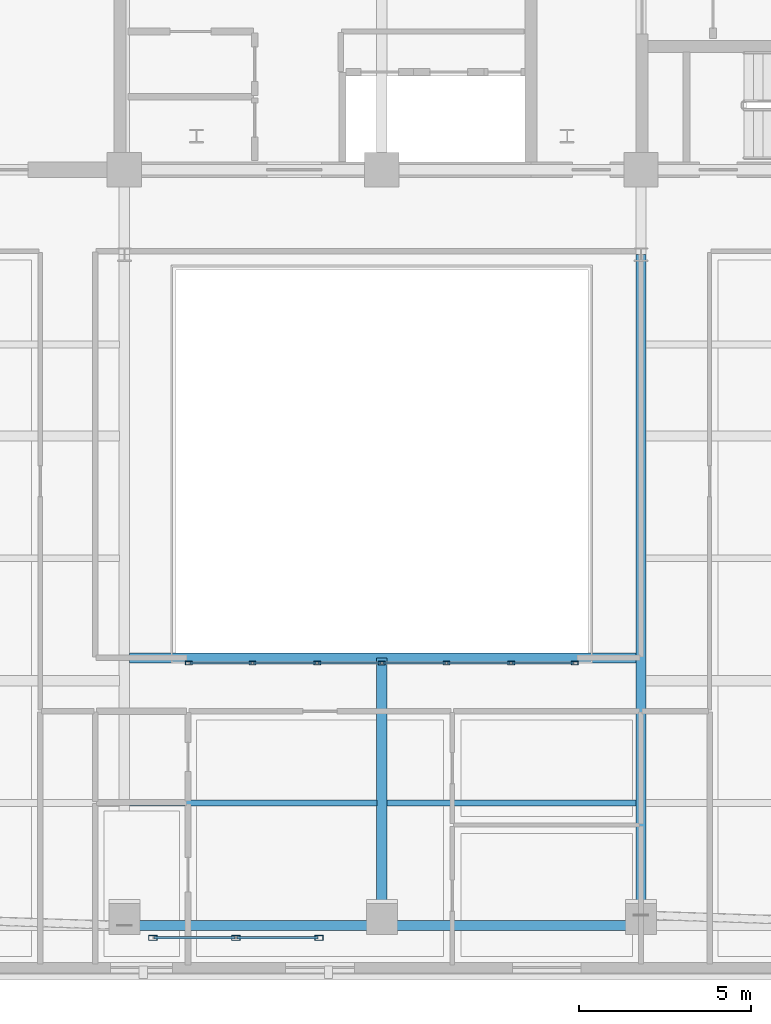
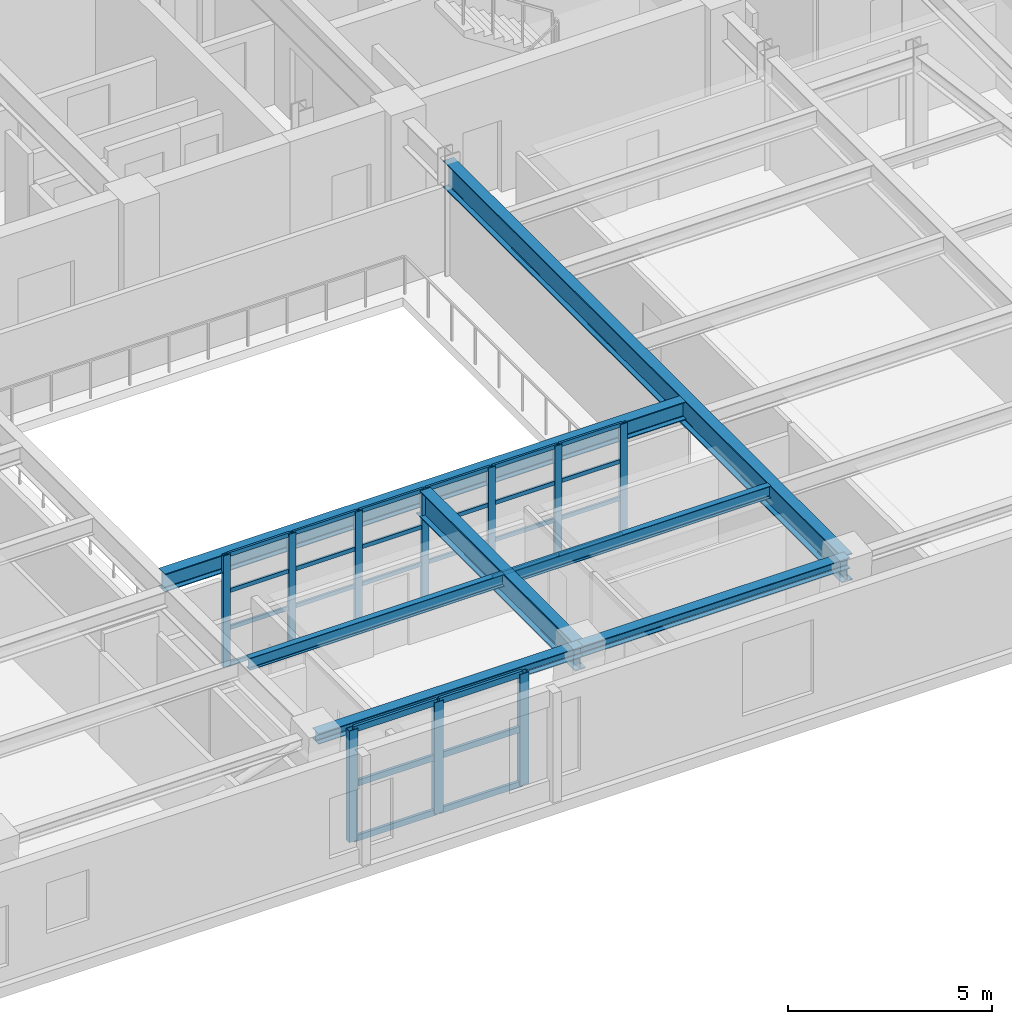
# One storey, part 2 of 14: 40 members, 7 beams, 2 elements without a shape of their own.
"""IFC4 building model written with IfcOpenShell, lengths in metres."""

import ifcopenshell
import ifcopenshell.guid

model = None  # the IFC model being written
_history = None  # IfcOwnerHistory: only IFC2X3 demands one
_inside = {}  # id of a spatial element -> (the spatial element, [elements in it])
_under = {}  # id of a project, library or spatial element -> (it, [spatial elements below it])
_declared = {}  # id of a project -> (the project, [libraries it declares])
_typed = {}  # id of a type object -> (the type object, [elements of that type])
_made_of = {}  # id of a material, layer set ... -> (it, [elements and type objects made of it])


def new_model(schema):
    """Start an empty IFC model of exactly this schema.

    Asked for "IFC4X3", IfcOpenShell would pick the latest addendum, in which some entities
    have other attributes; the version numbers below select the first issue.
    IFC2X3 requires an IfcOwnerHistory on every rooted entity: one is made here for all.
    """
    global model, _history
    if schema == "IFC4X3":
        model = ifcopenshell.file(schema_version=(4, 3, 0, 0))
    else:
        model = ifcopenshell.file(schema=schema)
    _inside.clear()
    _under.clear()
    _declared.clear()
    _typed.clear()
    _made_of.clear()
    _history = None
    if model.schema == "IFC2X3":
        org = make("IfcOrganization", Name="unknown")
        user = make(
            "IfcPersonAndOrganization",
            ThePerson=make("IfcPerson", FamilyName="unknown"),
            TheOrganization=org,
        )
        app = make(
            "IfcApplication",
            ApplicationDeveloper=org,
            Version="unknown",
            ApplicationFullName="unknown",
            ApplicationIdentifier="unknown",
        )
        _history = make(
            "IfcOwnerHistory",
            OwningUser=user,
            OwningApplication=app,
            ChangeAction="ADDED",
            CreationDate=0,
        )
    return model


def make(cls, **values):
    """One entity of the class cls with the attributes given. An attribute that is None is left unset."""
    return model.create_entity(
        cls, **{name: value for name, value in values.items() if value is not None}
    )


def rooted(cls, **values):
    """An entity with a GlobalId (a new one), such as an element, a storey or a relation."""
    return make(cls, GlobalId=ifcopenshell.guid.new(), OwnerHistory=_history, **values)


def si_unit(unit_type, name, prefix=None):
    """IfcSIUnit, for example si_unit("LENGTHUNIT", "METRE", prefix="MILLI")."""
    return make("IfcSIUnit", UnitType=unit_type, Prefix=prefix, Name=name)


def assignment(units):
    """IfcUnitAssignment: the units of a project."""
    return None if units is None else make("IfcUnitAssignment", Units=units)


def point(xyz):
    """IfcCartesianPoint."""
    return None if xyz is None else make("IfcCartesianPoint", Coordinates=xyz)


def direction(xyz):
    """IfcDirection."""
    return None if xyz is None else make("IfcDirection", DirectionRatios=xyz)


def frame(location, z_axis=None, x_axis=None):
    """IfcAxis2Placement3D, a coordinate frame: its origin and axes. An axis left out is left unset."""
    return make(
        "IfcAxis2Placement3D",
        Location=point(location),
        Axis=direction(z_axis),
        RefDirection=direction(x_axis),
    )


def frame_2d(location, x_axis=None):
    """IfcAxis2Placement2D, a coordinate frame in the plane: its origin and x axis."""
    return make(
        "IfcAxis2Placement2D", Location=point(location), RefDirection=direction(x_axis)
    )


def origin():
    """The frame at (0, 0, 0) with its axes left unset."""
    return frame((0.0, 0.0, 0.0))


def origin_2d():
    """The frame at (0, 0) in the plane with its x axis left unset."""
    return frame_2d((0.0, 0.0))


def place(relative_to, where):
    """IfcLocalPlacement: puts the frame where relative to a parent placement (None: the world)."""
    return make(
        "IfcLocalPlacement", PlacementRelTo=relative_to, RelativePlacement=where
    )


def context(
    kind, dimensions, precision=None, world=None, true_north=None, identifier=None
):
    """IfcGeometricRepresentationContext, for example the 3D "Model" context."""
    return make(
        "IfcGeometricRepresentationContext",
        ContextIdentifier=identifier,
        ContextType=kind,
        CoordinateSpaceDimension=dimensions,
        Precision=precision,
        WorldCoordinateSystem=world,
        TrueNorth=true_north,
    )


def subcontext(parent, identifier, kind, view, scale=None):
    """IfcGeometricRepresentationSubContext, for example "Body" below "Model"."""
    return make(
        "IfcGeometricRepresentationSubContext",
        ContextIdentifier=identifier,
        ContextType=kind,
        ParentContext=parent,
        TargetScale=scale,
        TargetView=view,
    )


def project(units=None, contexts=None):
    """IfcProject with its units and contexts."""
    return rooted(
        "IfcProject",
        Name="project",
        RepresentationContexts=contexts,
        UnitsInContext=assignment(units),
    )


def spatial(cls, under=None, at=None, **own):
    """A site, building, storey or space (cls), placed at a placement, below another one or the project."""
    s = rooted(cls, ObjectPlacement=at, **own)
    if under is not None:
        _under.setdefault(under.id(), (under, []))[1].append(s)
    return s


def profile(cls, at=None, kind="AREA", **sizes):
    """A parametric profile (cls). Its sizes go by their IFC names, for example OverallWidth=200.0."""
    return make(cls, ProfileType=kind, Position=at, **sizes)


def hollow_rectangle(**sizes):
    """IfcRectangleHollowProfileDef."""
    return profile("IfcRectangleHollowProfileDef", **sizes)


def i_section(**sizes):
    """IfcIShapeProfileDef."""
    return profile("IfcIShapeProfileDef", **sizes)


def extrude(swept, where, along, depth):
    """IfcExtrudedAreaSolid: the profile swept, set in the frame where, extruded along a direction by depth."""
    return make(
        "IfcExtrudedAreaSolid",
        SweptArea=swept,
        Position=where,
        ExtrudedDirection=direction(along),
        Depth=depth,
    )


def shape(context_of_items, identifier, shape_type, items):
    """IfcShapeRepresentation: the items that make up one representation, for example the "Body"."""
    return make(
        "IfcShapeRepresentation",
        ContextOfItems=context_of_items,
        RepresentationIdentifier=identifier,
        RepresentationType=shape_type,
        Items=items,
    )


def material(Name=None, Category=None):
    """IfcMaterial."""
    return make("IfcMaterial", Name=Name, Category=Category)


def layer(
    of_material, thickness, ventilated=None, Name=None, Category=None, Priority=None
):
    """IfcMaterialLayer: one layer of a wall or slab, of a material (None: an air gap)."""
    return make(
        "IfcMaterialLayer",
        Material=of_material,
        LayerThickness=thickness,
        IsVentilated=ventilated,
        Name=Name,
        Category=Category,
        Priority=Priority,
    )


def layer_set(layers, Name=None):
    """IfcMaterialLayerSet."""
    return make("IfcMaterialLayerSet", MaterialLayers=layers, LayerSetName=Name)


def material_profile(
    of_material, cross_section, Name=None, Category=None, Priority=None
):
    """IfcMaterialProfile: a cross section and its material."""
    return make(
        "IfcMaterialProfile",
        Name=Name,
        Material=of_material,
        Profile=cross_section,
        Priority=Priority,
        Category=Category,
    )


def profile_set(profiles, Name=None, composite=None):
    """IfcMaterialProfileSet."""
    return make(
        "IfcMaterialProfileSet",
        Name=Name,
        MaterialProfiles=profiles,
        CompositeProfile=composite,
    )


def made_of(thing, what):
    """Note that an element or type object is made of a material, layer set ...; save() writes the relation."""
    if what is not None:
        _made_of.setdefault(what.id(), (what, []))[1].append(thing)
    return thing


def type_object(cls, material=None, **own):
    """A type object (cls), such as IfcWallType, which elements share."""
    return made_of(rooted(cls, **own), material)


def element(
    cls,
    number,
    at=None,
    inside=None,
    cuts=None,
    type_object=None,
    material=None,
    context=None,
    identifier="Body",
    shape_type=None,
    held_by="IfcProductDefinitionShape",
    body=None,
    shapes=None,
    **own,
):
    """One element of the class cls, such as IfcWall. Its Tag is "e" and its number.

    at: its placement. inside: the storey or other place that contains it. cuts: it is an
    opening in that element (IfcRelVoidsElement). A single representation is given by context,
    identifier, shape_type and body (its items); several are given by shapes. held_by: the class
    of the entity that holds the representations. save() writes the other relations.
    """
    e = rooted(cls, Tag="e%d" % number, ObjectPlacement=at, **own)
    if body is not None:
        shapes = [shape(context, identifier, shape_type, body)]
    if shapes is not None:
        e.Representation = make(held_by, Representations=shapes)
    if inside is not None:
        _inside.setdefault(inside.id(), (inside, []))[1].append(e)
    if cuts is not None:
        rooted(
            "IfcRelVoidsElement", RelatingBuildingElement=cuts, RelatedOpeningElement=e
        )
    if type_object is not None:
        _typed.setdefault(type_object.id(), (type_object, []))[1].append(e)
    return made_of(e, material)


def aggregate(whole, parts):
    """IfcRelAggregates: a whole, such as a stair, and the parts it consists of."""
    return rooted("IfcRelAggregates", RelatingObject=whole, RelatedObjects=parts)


def save(model, path):
    """Write the relations noted so far, then the file.

    IfcRelAggregates (storeys below a building ...), IfcRelContainedInSpatialStructure (elements
    in a storey), IfcRelDefinesByType, IfcRelAssociatesMaterial and IfcRelDeclares: one each for
    every whole, place, type object, material and project.
    """
    for whole, parts in _under.values():
        aggregate(whole, parts)
    for where, things in _inside.values():
        rooted(
            "IfcRelContainedInSpatialStructure",
            RelatedElements=things,
            RelatingStructure=where,
        )
    for kind, things in _typed.values():
        rooted("IfcRelDefinesByType", RelatedObjects=things, RelatingType=kind)
    for what, things in _made_of.values():
        rooted("IfcRelAssociatesMaterial", RelatedObjects=things, RelatingMaterial=what)
    for by, libraries in _declared.values():
        rooted("IfcRelDeclares", RelatingContext=by, RelatedDefinitions=libraries)
    model.write(path)


model = new_model("IFC4")

# Units and contexts
model_context = context("Model", 3, precision=1e-05, world=origin(), true_north=direction((0.0, 1.0)))
body_context = subcontext(model_context, "Body", "Model", "MODEL_VIEW")
ifc_project = project(units=[si_unit("LENGTHUNIT", "METRE"), si_unit("AREAUNIT", "SQUARE_METRE"), si_unit("VOLUMEUNIT", "CUBIC_METRE"), si_unit("PLANEANGLEUNIT", "RADIAN"), si_unit("MASSUNIT", "GRAM", prefix="KILO")], contexts=[model_context])

# Site, building, storey
site_placement = place(None, origin())
site = spatial("IfcSite", under=ifc_project, at=site_placement, CompositionType="ELEMENT")
building_placement = place(site_placement, origin())
building = spatial("IfcBuilding", under=site, at=building_placement, Name="Zarnavel Station Tower", CompositionType="ELEMENT")
storey_placement = place(building_placement, frame((0.0, 0.0, 222.0)))
storey = spatial("IfcBuildingStorey", under=building, at=storey_placement, Name="L60", CompositionType="ELEMENT", Elevation=222.0)

# Curtain wall, members
ifc_material_1 = material(Name="Aluminium Dark Anodised and Solar-Control Glass", Category="aluminium")
ifc_layer_1 = layer(ifc_material_1, 0.179931640625)
ifc_layer_set_1 = layer_set([ifc_layer_1], Name="CWS5")
curtain_wall_type_1 = type_object("IfcCurtainWallType", Name="CWS5", PredefinedType="NOTDEFINED", material=ifc_layer_set_1)
curtain_wall_1_placement = place(storey_placement, origin())
curtain_wall_1 = element("IfcCurtainWall", 1, at=curtain_wall_1_placement, inside=storey, type_object=curtain_wall_type_1, Name="L60 Curtain Wall CWS5-L60-AS", PredefinedType="NOTDEFINED")
ifc_material_2 = material(Name="Steel S355J2 (Black Fluoropolymer Coated)", Category="steel")
ifc_material_profile_1 = material_profile(ifc_material_2, hollow_rectangle(XDim=0.10009765625, YDim=0.199951171875, WallThickness=0.008056640625, at=origin_2d()), Name="RHS200x100x8")
ifc_profile_set_1 = profile_set([ifc_material_profile_1], Name="Steel S355J2 (Black Fluoropolymer Coated)")
member_type_1 = type_object("IfcMemberType", Name="CWS5_MUL", PredefinedType="MULLION", material=ifc_profile_set_1)
member_1_placement = place(storey_placement, frame((23.179931640625, 13.449951171875, 0.0), z_axis=(0.0, 0.0, 1.0), x_axis=(0.0, 1.0, 0.0)))
member_1 = element("IfcMember", 2, at=member_1_placement, type_object=member_type_1, Name="CW5 mullion 1", PredefinedType="MULLION", context=body_context, shape_type="SweptSolid", body=[
    extrude(hollow_rectangle(XDim=0.10009765625, YDim=0.199951171875, WallThickness=0.008056640625, at=origin_2d()), origin(), (0.0, 0.0, 1.0), 3.340087890625),
])
member_2_placement = place(storey_placement, frame((25.033447265625, 13.449951171875, 0.0), z_axis=(0.0, 0.0, 1.0), x_axis=(0.0, 1.0, 0.0)))
member_2 = element("IfcMember", 3, at=member_2_placement, type_object=member_type_1, Name="CW5 mullion 2", PredefinedType="MULLION", context=body_context, shape_type="SweptSolid", body=[
    extrude(hollow_rectangle(XDim=0.10009765625, YDim=0.199951171875, WallThickness=0.008056640625, at=origin_2d()), origin(), (0.0, 0.0, 1.0), 3.340087890625),
])
member_3_placement = place(storey_placement, frame((26.916748046875, 13.449951171875, 0.0), z_axis=(0.0, 0.0, 1.0), x_axis=(0.0, 1.0, 0.0)))
member_3 = element("IfcMember", 4, at=member_3_placement, type_object=member_type_1, Name="CW5 mullion 3", PredefinedType="MULLION", context=body_context, shape_type="SweptSolid", body=[
    extrude(hollow_rectangle(XDim=0.10009765625, YDim=0.199951171875, WallThickness=0.008056640625, at=origin_2d()), origin(), (0.0, 0.0, 1.0), 3.340087890625),
])
member_4_placement = place(storey_placement, frame((28.800048828125, 13.449951171875, 0.0), z_axis=(0.0, 0.0, 1.0), x_axis=(0.0, 1.0, 0.0)))
member_4 = element("IfcMember", 5, at=member_4_placement, type_object=member_type_1, Name="CW5 mullion 4", PredefinedType="MULLION", context=body_context, shape_type="SweptSolid", body=[
    extrude(hollow_rectangle(XDim=0.10009765625, YDim=0.199951171875, WallThickness=0.008056640625, at=origin_2d()), origin(), (0.0, 0.0, 1.0), 3.340087890625),
])
member_5_placement = place(storey_placement, frame((30.683349609375, 13.449951171875, 0.0), z_axis=(0.0, 0.0, 1.0), x_axis=(0.0, 1.0, 0.0)))
member_5 = element("IfcMember", 6, at=member_5_placement, type_object=member_type_1, Name="CW5 mullion 5", PredefinedType="MULLION", context=body_context, shape_type="SweptSolid", body=[
    extrude(hollow_rectangle(XDim=0.10009765625, YDim=0.199951171875, WallThickness=0.008056640625, at=origin_2d()), origin(), (0.0, 0.0, 1.0), 3.340087890625),
])
member_6_placement = place(storey_placement, frame((32.566650390625, 13.449951171875, 0.0), z_axis=(0.0, 0.0, 1.0), x_axis=(0.0, 1.0, 0.0)))
member_6 = element("IfcMember", 7, at=member_6_placement, type_object=member_type_1, Name="CW5 mullion 6", PredefinedType="MULLION", context=body_context, shape_type="SweptSolid", body=[
    extrude(hollow_rectangle(XDim=0.10009765625, YDim=0.199951171875, WallThickness=0.008056640625, at=origin_2d()), origin(), (0.0, 0.0, 1.0), 3.340087890625),
])
member_7_placement = place(storey_placement, frame((34.419921875, 13.449951171875, 0.0), z_axis=(0.0, 0.0, 1.0), x_axis=(0.0, 1.0, 0.0)))
member_7 = element("IfcMember", 8, at=member_7_placement, type_object=member_type_1, Name="CW5 mullion 7", PredefinedType="MULLION", context=body_context, shape_type="SweptSolid", body=[
    extrude(hollow_rectangle(XDim=0.10009765625, YDim=0.199951171875, WallThickness=0.008056640625, at=origin_2d()), origin(), (0.0, 0.0, 1.0), 3.340087890625),
])
ifc_material_3 = material(Name="Steel S355J2 (Black Fluoropolymer Coated)", Category="steel")
ifc_material_profile_2 = material_profile(ifc_material_3, hollow_rectangle(XDim=0.06005859375, YDim=0.1201171875, WallThickness=0.0048828125, at=origin_2d()), Name="RHS120x60x5")
ifc_profile_set_2 = profile_set([ifc_material_profile_2], Name="Steel S355J2 (Black Fluoropolymer Coated)")
member_type_2 = type_object("IfcMemberType", Name="CWS5_TRN", PredefinedType="USERDEFINED", material=ifc_profile_set_2)
member_8_placement = place(storey_placement, frame((23.2099609375, 13.449951171875, 0.030029296875), z_axis=(1.0, 0.0, 0.0), x_axis=(0.0, 1.0, 0.0)))
member_8 = element("IfcMember", 9, at=member_8_placement, type_object=member_type_2, Name="CW5 transom 1.1", ObjectType="TRANSOM", PredefinedType="USERDEFINED", context=body_context, shape_type="SweptSolid", body=[
    extrude(hollow_rectangle(XDim=0.06005859375, YDim=0.1201171875, WallThickness=0.0048828125, at=origin_2d()), origin(), (0.0, 0.0, 1.0), 1.79345703125),
])
member_9_placement = place(storey_placement, frame((23.2099609375, 13.449951171875, 1.11328125), z_axis=(1.0, 0.0, 0.0), x_axis=(0.0, 1.0, 0.0)))
member_9 = element("IfcMember", 10, at=member_9_placement, type_object=member_type_2, Name="CW5 transom 1.2", ObjectType="TRANSOM", PredefinedType="USERDEFINED", context=body_context, shape_type="SweptSolid", body=[
    extrude(hollow_rectangle(XDim=0.06005859375, YDim=0.1201171875, WallThickness=0.0048828125, at=origin_2d()), origin(), (0.0, 0.0, 1.0), 1.79345703125),
])
member_10_placement = place(storey_placement, frame((23.2099609375, 13.449951171875, 2.226806640625), z_axis=(1.0, 0.0, 0.0), x_axis=(0.0, 1.0, 0.0)))
member_10 = element("IfcMember", 11, at=member_10_placement, type_object=member_type_2, Name="CW5 transom 1.3", ObjectType="TRANSOM", PredefinedType="USERDEFINED", context=body_context, shape_type="SweptSolid", body=[
    extrude(hollow_rectangle(XDim=0.06005859375, YDim=0.1201171875, WallThickness=0.0048828125, at=origin_2d()), origin(), (0.0, 0.0, 1.0), 1.79345703125),
])
member_11_placement = place(storey_placement, frame((23.2099609375, 13.449951171875, 3.31005859375), z_axis=(1.0, 0.0, 0.0), x_axis=(0.0, 1.0, 0.0)))
member_11 = element("IfcMember", 12, at=member_11_placement, type_object=member_type_2, Name="CW5 transom 1.4", ObjectType="TRANSOM", PredefinedType="USERDEFINED", context=body_context, shape_type="SweptSolid", body=[
    extrude(hollow_rectangle(XDim=0.06005859375, YDim=0.1201171875, WallThickness=0.0048828125, at=origin_2d()), origin(), (0.0, 0.0, 1.0), 1.79345703125),
])
member_12_placement = place(storey_placement, frame((25.063232421875, 13.449951171875, 0.030029296875), z_axis=(1.0, 0.0, 0.0), x_axis=(0.0, 1.0, 0.0)))
member_12 = element("IfcMember", 13, at=member_12_placement, type_object=member_type_2, Name="CW5 transom 2.1", ObjectType="TRANSOM", PredefinedType="USERDEFINED", context=body_context, shape_type="SweptSolid", body=[
    extrude(hollow_rectangle(XDim=0.06005859375, YDim=0.1201171875, WallThickness=0.0048828125, at=origin_2d()), origin(), (0.0, 0.0, 1.0), 1.823486328125),
])
member_13_placement = place(storey_placement, frame((25.063232421875, 13.449951171875, 1.11328125), z_axis=(1.0, 0.0, 0.0), x_axis=(0.0, 1.0, 0.0)))
member_13 = element("IfcMember", 14, at=member_13_placement, type_object=member_type_2, Name="CW5 transom 2.2", ObjectType="TRANSOM", PredefinedType="USERDEFINED", context=body_context, shape_type="SweptSolid", body=[
    extrude(hollow_rectangle(XDim=0.06005859375, YDim=0.1201171875, WallThickness=0.0048828125, at=origin_2d()), origin(), (0.0, 0.0, 1.0), 1.823486328125),
])
member_14_placement = place(storey_placement, frame((25.063232421875, 13.449951171875, 2.226806640625), z_axis=(1.0, 0.0, 0.0), x_axis=(0.0, 1.0, 0.0)))
member_14 = element("IfcMember", 15, at=member_14_placement, type_object=member_type_2, Name="CW5 transom 2.3", ObjectType="TRANSOM", PredefinedType="USERDEFINED", context=body_context, shape_type="SweptSolid", body=[
    extrude(hollow_rectangle(XDim=0.06005859375, YDim=0.1201171875, WallThickness=0.0048828125, at=origin_2d()), origin(), (0.0, 0.0, 1.0), 1.823486328125),
])
member_15_placement = place(storey_placement, frame((25.063232421875, 13.449951171875, 3.31005859375), z_axis=(1.0, 0.0, 0.0), x_axis=(0.0, 1.0, 0.0)))
member_15 = element("IfcMember", 16, at=member_15_placement, type_object=member_type_2, Name="CW5 transom 2.4", ObjectType="TRANSOM", PredefinedType="USERDEFINED", context=body_context, shape_type="SweptSolid", body=[
    extrude(hollow_rectangle(XDim=0.06005859375, YDim=0.1201171875, WallThickness=0.0048828125, at=origin_2d()), origin(), (0.0, 0.0, 1.0), 1.823486328125),
])
member_16_placement = place(storey_placement, frame((26.94677734375, 13.449951171875, 0.030029296875), z_axis=(1.0, 0.0, 0.0), x_axis=(0.0, 1.0, 0.0)))
member_16 = element("IfcMember", 17, at=member_16_placement, type_object=member_type_2, Name="CW5 transom 3.1", ObjectType="TRANSOM", PredefinedType="USERDEFINED", context=body_context, shape_type="SweptSolid", body=[
    extrude(hollow_rectangle(XDim=0.06005859375, YDim=0.1201171875, WallThickness=0.0048828125, at=origin_2d()), origin(), (0.0, 0.0, 1.0), 1.8232421875),
])
member_17_placement = place(storey_placement, frame((26.94677734375, 13.449951171875, 1.11328125), z_axis=(1.0, 0.0, 0.0), x_axis=(0.0, 1.0, 0.0)))
member_17 = element("IfcMember", 18, at=member_17_placement, type_object=member_type_2, Name="CW5 transom 3.2", ObjectType="TRANSOM", PredefinedType="USERDEFINED", context=body_context, shape_type="SweptSolid", body=[
    extrude(hollow_rectangle(XDim=0.06005859375, YDim=0.1201171875, WallThickness=0.0048828125, at=origin_2d()), origin(), (0.0, 0.0, 1.0), 1.8232421875),
])
member_18_placement = place(storey_placement, frame((26.94677734375, 13.449951171875, 2.226806640625), z_axis=(1.0, 0.0, 0.0), x_axis=(0.0, 1.0, 0.0)))
member_18 = element("IfcMember", 19, at=member_18_placement, type_object=member_type_2, Name="CW5 transom 3.3", ObjectType="TRANSOM", PredefinedType="USERDEFINED", context=body_context, shape_type="SweptSolid", body=[
    extrude(hollow_rectangle(XDim=0.06005859375, YDim=0.1201171875, WallThickness=0.0048828125, at=origin_2d()), origin(), (0.0, 0.0, 1.0), 1.8232421875),
])
member_19_placement = place(storey_placement, frame((26.94677734375, 13.449951171875, 3.31005859375), z_axis=(1.0, 0.0, 0.0), x_axis=(0.0, 1.0, 0.0)))
member_19 = element("IfcMember", 20, at=member_19_placement, type_object=member_type_2, Name="CW5 transom 3.4", ObjectType="TRANSOM", PredefinedType="USERDEFINED", context=body_context, shape_type="SweptSolid", body=[
    extrude(hollow_rectangle(XDim=0.06005859375, YDim=0.1201171875, WallThickness=0.0048828125, at=origin_2d()), origin(), (0.0, 0.0, 1.0), 1.8232421875),
])
member_20_placement = place(storey_placement, frame((28.830078125, 13.449951171875, 0.030029296875), z_axis=(1.0, 0.0, 0.0), x_axis=(0.0, 1.0, 0.0)))
member_20 = element("IfcMember", 21, at=member_20_placement, type_object=member_type_2, Name="CW5 transom 4.1", ObjectType="TRANSOM", PredefinedType="USERDEFINED", context=body_context, shape_type="SweptSolid", body=[
    extrude(hollow_rectangle(XDim=0.06005859375, YDim=0.1201171875, WallThickness=0.0048828125, at=origin_2d()), origin(), (0.0, 0.0, 1.0), 1.8232421875),
])
member_21_placement = place(storey_placement, frame((28.830078125, 13.449951171875, 1.11328125), z_axis=(1.0, 0.0, 0.0), x_axis=(0.0, 1.0, 0.0)))
member_21 = element("IfcMember", 22, at=member_21_placement, type_object=member_type_2, Name="CW5 transom 4.2", ObjectType="TRANSOM", PredefinedType="USERDEFINED", context=body_context, shape_type="SweptSolid", body=[
    extrude(hollow_rectangle(XDim=0.06005859375, YDim=0.1201171875, WallThickness=0.0048828125, at=origin_2d()), origin(), (0.0, 0.0, 1.0), 1.8232421875),
])
member_22_placement = place(storey_placement, frame((28.830078125, 13.449951171875, 2.226806640625), z_axis=(1.0, 0.0, 0.0), x_axis=(0.0, 1.0, 0.0)))
member_22 = element("IfcMember", 23, at=member_22_placement, type_object=member_type_2, Name="CW5 transom 4.3", ObjectType="TRANSOM", PredefinedType="USERDEFINED", context=body_context, shape_type="SweptSolid", body=[
    extrude(hollow_rectangle(XDim=0.06005859375, YDim=0.1201171875, WallThickness=0.0048828125, at=origin_2d()), origin(), (0.0, 0.0, 1.0), 1.8232421875),
])
member_23_placement = place(storey_placement, frame((28.830078125, 13.449951171875, 3.31005859375), z_axis=(1.0, 0.0, 0.0), x_axis=(0.0, 1.0, 0.0)))
member_23 = element("IfcMember", 24, at=member_23_placement, type_object=member_type_2, Name="CW5 transom 4.4", ObjectType="TRANSOM", PredefinedType="USERDEFINED", context=body_context, shape_type="SweptSolid", body=[
    extrude(hollow_rectangle(XDim=0.06005859375, YDim=0.1201171875, WallThickness=0.0048828125, at=origin_2d()), origin(), (0.0, 0.0, 1.0), 1.8232421875),
])
member_24_placement = place(storey_placement, frame((30.71337890625, 13.449951171875, 0.030029296875), z_axis=(1.0, 0.0, 0.0), x_axis=(0.0, 1.0, 0.0)))
member_24 = element("IfcMember", 25, at=member_24_placement, type_object=member_type_2, Name="CW5 transom 5.1", ObjectType="TRANSOM", PredefinedType="USERDEFINED", context=body_context, shape_type="SweptSolid", body=[
    extrude(hollow_rectangle(XDim=0.06005859375, YDim=0.1201171875, WallThickness=0.0048828125, at=origin_2d()), origin(), (0.0, 0.0, 1.0), 1.8232421875),
])
member_25_placement = place(storey_placement, frame((30.71337890625, 13.449951171875, 1.11328125), z_axis=(1.0, 0.0, 0.0), x_axis=(0.0, 1.0, 0.0)))
member_25 = element("IfcMember", 26, at=member_25_placement, type_object=member_type_2, Name="CW5 transom 5.2", ObjectType="TRANSOM", PredefinedType="USERDEFINED", context=body_context, shape_type="SweptSolid", body=[
    extrude(hollow_rectangle(XDim=0.06005859375, YDim=0.1201171875, WallThickness=0.0048828125, at=origin_2d()), origin(), (0.0, 0.0, 1.0), 1.8232421875),
])
member_26_placement = place(storey_placement, frame((30.71337890625, 13.449951171875, 2.226806640625), z_axis=(1.0, 0.0, 0.0), x_axis=(0.0, 1.0, 0.0)))
member_26 = element("IfcMember", 27, at=member_26_placement, type_object=member_type_2, Name="CW5 transom 5.3", ObjectType="TRANSOM", PredefinedType="USERDEFINED", context=body_context, shape_type="SweptSolid", body=[
    extrude(hollow_rectangle(XDim=0.06005859375, YDim=0.1201171875, WallThickness=0.0048828125, at=origin_2d()), origin(), (0.0, 0.0, 1.0), 1.8232421875),
])
member_27_placement = place(storey_placement, frame((30.71337890625, 13.449951171875, 3.31005859375), z_axis=(1.0, 0.0, 0.0), x_axis=(0.0, 1.0, 0.0)))
member_27 = element("IfcMember", 28, at=member_27_placement, type_object=member_type_2, Name="CW5 transom 5.4", ObjectType="TRANSOM", PredefinedType="USERDEFINED", context=body_context, shape_type="SweptSolid", body=[
    extrude(hollow_rectangle(XDim=0.06005859375, YDim=0.1201171875, WallThickness=0.0048828125, at=origin_2d()), origin(), (0.0, 0.0, 1.0), 1.8232421875),
])
member_28_placement = place(storey_placement, frame((32.5966796875, 13.449951171875, 0.030029296875), z_axis=(1.0, 0.0, 0.0), x_axis=(0.0, 1.0, 0.0)))
member_28 = element("IfcMember", 29, at=member_28_placement, type_object=member_type_2, Name="CW5 transom 6.1", ObjectType="TRANSOM", PredefinedType="USERDEFINED", context=body_context, shape_type="SweptSolid", body=[
    extrude(hollow_rectangle(XDim=0.06005859375, YDim=0.1201171875, WallThickness=0.0048828125, at=origin_2d()), origin(), (0.0, 0.0, 1.0), 1.793212890625),
])
member_29_placement = place(storey_placement, frame((32.5966796875, 13.449951171875, 1.11328125), z_axis=(1.0, 0.0, 0.0), x_axis=(0.0, 1.0, 0.0)))
member_29 = element("IfcMember", 30, at=member_29_placement, type_object=member_type_2, Name="CW5 transom 6.2", ObjectType="TRANSOM", PredefinedType="USERDEFINED", context=body_context, shape_type="SweptSolid", body=[
    extrude(hollow_rectangle(XDim=0.06005859375, YDim=0.1201171875, WallThickness=0.0048828125, at=origin_2d()), origin(), (0.0, 0.0, 1.0), 1.793212890625),
])
member_30_placement = place(storey_placement, frame((32.5966796875, 13.449951171875, 2.226806640625), z_axis=(1.0, 0.0, 0.0), x_axis=(0.0, 1.0, 0.0)))
member_30 = element("IfcMember", 31, at=member_30_placement, type_object=member_type_2, Name="CW5 transom 6.3", ObjectType="TRANSOM", PredefinedType="USERDEFINED", context=body_context, shape_type="SweptSolid", body=[
    extrude(hollow_rectangle(XDim=0.06005859375, YDim=0.1201171875, WallThickness=0.0048828125, at=origin_2d()), origin(), (0.0, 0.0, 1.0), 1.793212890625),
])
member_31_placement = place(storey_placement, frame((32.5966796875, 13.449951171875, 3.31005859375), z_axis=(1.0, 0.0, 0.0), x_axis=(0.0, 1.0, 0.0)))
member_31 = element("IfcMember", 32, at=member_31_placement, type_object=member_type_2, Name="CW5 transom 6.4", ObjectType="TRANSOM", PredefinedType="USERDEFINED", context=body_context, shape_type="SweptSolid", body=[
    extrude(hollow_rectangle(XDim=0.06005859375, YDim=0.1201171875, WallThickness=0.0048828125, at=origin_2d()), origin(), (0.0, 0.0, 1.0), 1.793212890625),
])
aggregate(curtain_wall_1, [member_1, member_2, member_3, member_4, member_5, member_6, member_7, member_8, member_9, member_10, member_11, member_12, member_13, member_14, member_15, member_16, member_17, member_18, member_19, member_20, member_21, member_22, member_23, member_24, member_25, member_26, member_27, member_28, member_29, member_30, member_31])

ifc_material_4 = material(Name="Aluminium Dark Anodised and Solar-Control Glass", Category="aluminium")
ifc_layer_2 = layer(ifc_material_4, 0.179931640625)
ifc_layer_set_2 = layer_set([ifc_layer_2], Name="CWS6")
curtain_wall_type_2 = type_object("IfcCurtainWallType", Name="CWS6", PredefinedType="NOTDEFINED", material=ifc_layer_set_2)
curtain_wall_2_placement = place(storey_placement, origin())
curtain_wall_2 = element("IfcCurtainWall", 33, at=curtain_wall_2_placement, inside=storey, type_object=curtain_wall_type_2, Name="L60 Curtain Wall CWS6-LOG-L60", PredefinedType="NOTDEFINED")
ifc_material_5 = material(Name="Steel S355J2 (Black Fluoropolymer Coated)", Category="steel")
ifc_material_profile_3 = material_profile(ifc_material_5, hollow_rectangle(XDim=0.14990234375, YDim=0.25, WallThickness=0.010009765625, at=origin_2d()), Name="RHS250x150x10")
ifc_profile_set_3 = profile_set([ifc_material_profile_3], Name="Steel S355J2 (Black Fluoropolymer Coated)")
member_type_3 = type_object("IfcMemberType", Name="CWS6_MUL", PredefinedType="MULLION", material=ifc_profile_set_3)
member_32_placement = place(storey_placement, frame((22.1298828125, 5.449951171875, 0.0), z_axis=(0.0, 0.0, 1.0), x_axis=(0.0, 1.0, 0.0)))
member_32 = element("IfcMember", 34, at=member_32_placement, type_object=member_type_3, Name="CW6 mullion 1", PredefinedType="MULLION", context=body_context, shape_type="SweptSolid", body=[
    extrude(hollow_rectangle(XDim=0.14990234375, YDim=0.25, WallThickness=0.010009765625, at=origin_2d()), origin(), (0.0, 0.0, 1.0), 3.340087890625),
])
member_33_placement = place(storey_placement, frame((24.550048828125, 5.449951171875, 0.0), z_axis=(0.0, 0.0, 1.0), x_axis=(0.0, 1.0, 0.0)))
member_33 = element("IfcMember", 35, at=member_33_placement, type_object=member_type_3, Name="CW6 mullion 2", PredefinedType="MULLION", context=body_context, shape_type="SweptSolid", body=[
    extrude(hollow_rectangle(XDim=0.14990234375, YDim=0.25, WallThickness=0.010009765625, at=origin_2d()), origin(), (0.0, 0.0, 1.0), 3.340087890625),
])
member_34_placement = place(storey_placement, frame((26.969970703125, 5.449951171875, 0.0), z_axis=(0.0, 0.0, 1.0), x_axis=(0.0, 1.0, 0.0)))
member_34 = element("IfcMember", 36, at=member_34_placement, type_object=member_type_3, Name="CW6 mullion 3", PredefinedType="MULLION", context=body_context, shape_type="SweptSolid", body=[
    extrude(hollow_rectangle(XDim=0.14990234375, YDim=0.25, WallThickness=0.010009765625, at=origin_2d()), origin(), (0.0, 0.0, 1.0), 3.340087890625),
])
ifc_material_6 = material(Name="Steel S355J2 (Black Fluoropolymer Coated)", Category="steel")
ifc_material_profile_4 = material_profile(ifc_material_6, hollow_rectangle(XDim=0.080078125, YDim=0.179931640625, WallThickness=0.00634765625, at=origin_2d()), Name="RHS180x80x6.3")
ifc_profile_set_4 = profile_set([ifc_material_profile_4], Name="Steel S355J2 (Black Fluoropolymer Coated)")
member_type_4 = type_object("IfcMemberType", Name="CWS6_TRN", PredefinedType="USERDEFINED", material=ifc_profile_set_4)
member_35_placement = place(storey_placement, frame((22.159912109375, 5.449951171875, 0.030029296875), z_axis=(1.0, 0.0, 0.0), x_axis=(0.0, 1.0, 0.0)))
member_35 = element("IfcMember", 37, at=member_35_placement, type_object=member_type_4, Name="CW6 transom 1.1", ObjectType="TRANSOM", PredefinedType="USERDEFINED", context=body_context, shape_type="SweptSolid", body=[
    extrude(hollow_rectangle(XDim=0.080078125, YDim=0.179931640625, WallThickness=0.00634765625, at=origin_2d()), origin(), (0.0, 0.0, 1.0), 2.360107421875),
])
member_36_placement = place(storey_placement, frame((22.159912109375, 5.449951171875, 1.669921875), z_axis=(1.0, 0.0, 0.0), x_axis=(0.0, 1.0, 0.0)))
member_36 = element("IfcMember", 38, at=member_36_placement, type_object=member_type_4, Name="CW6 transom 1.2", ObjectType="TRANSOM", PredefinedType="USERDEFINED", context=body_context, shape_type="SweptSolid", body=[
    extrude(hollow_rectangle(XDim=0.080078125, YDim=0.179931640625, WallThickness=0.00634765625, at=origin_2d()), origin(), (0.0, 0.0, 1.0), 2.360107421875),
])
member_37_placement = place(storey_placement, frame((22.159912109375, 5.449951171875, 3.31005859375), z_axis=(1.0, 0.0, 0.0), x_axis=(0.0, 1.0, 0.0)))
member_37 = element("IfcMember", 39, at=member_37_placement, type_object=member_type_4, Name="CW6 transom 1.3", ObjectType="TRANSOM", PredefinedType="USERDEFINED", context=body_context, shape_type="SweptSolid", body=[
    extrude(hollow_rectangle(XDim=0.080078125, YDim=0.179931640625, WallThickness=0.00634765625, at=origin_2d()), origin(), (0.0, 0.0, 1.0), 2.360107421875),
])
member_38_placement = place(storey_placement, frame((24.580078125, 5.449951171875, 0.030029296875), z_axis=(1.0, 0.0, 0.0), x_axis=(0.0, 1.0, 0.0)))
member_38 = element("IfcMember", 40, at=member_38_placement, type_object=member_type_4, Name="CW6 transom 2.1", ObjectType="TRANSOM", PredefinedType="USERDEFINED", context=body_context, shape_type="SweptSolid", body=[
    extrude(hollow_rectangle(XDim=0.080078125, YDim=0.179931640625, WallThickness=0.00634765625, at=origin_2d()), origin(), (0.0, 0.0, 1.0), 2.35986328125),
])
member_39_placement = place(storey_placement, frame((24.580078125, 5.449951171875, 1.669921875), z_axis=(1.0, 0.0, 0.0), x_axis=(0.0, 1.0, 0.0)))
member_39 = element("IfcMember", 41, at=member_39_placement, type_object=member_type_4, Name="CW6 transom 2.2", ObjectType="TRANSOM", PredefinedType="USERDEFINED", context=body_context, shape_type="SweptSolid", body=[
    extrude(hollow_rectangle(XDim=0.080078125, YDim=0.179931640625, WallThickness=0.00634765625, at=origin_2d()), origin(), (0.0, 0.0, 1.0), 2.35986328125),
])
member_40_placement = place(storey_placement, frame((24.580078125, 5.449951171875, 3.31005859375), z_axis=(1.0, 0.0, 0.0), x_axis=(0.0, 1.0, 0.0)))
member_40 = element("IfcMember", 42, at=member_40_placement, type_object=member_type_4, Name="CW6 transom 2.3", ObjectType="TRANSOM", PredefinedType="USERDEFINED", context=body_context, shape_type="SweptSolid", body=[
    extrude(hollow_rectangle(XDim=0.080078125, YDim=0.179931640625, WallThickness=0.00634765625, at=origin_2d()), origin(), (0.0, 0.0, 1.0), 2.35986328125),
])
aggregate(curtain_wall_2, [member_32, member_33, member_34, member_35, member_36, member_37, member_38, member_39, member_40])

# Beams
ifc_material_7 = material(Name="Steel S355J2", Category="steel")
ifc_material_profile_5 = material_profile(ifc_material_7, i_section(OverallWidth=0.300048828125, OverallDepth=0.320068359375, WebThickness=0.011474609375, FlangeThickness=0.0205078125, FilletRadius=0.027099609375, at=origin_2d()), Name="HEB320")
ifc_profile_set_5 = profile_set([ifc_material_profile_5], Name="Steel S355J2")
beam_type_1 = type_object("IfcBeamType", Name="EB_HEB320", PredefinedType="SPANDREL", material=ifc_profile_set_5)
beam_1_placement = place(storey_placement, frame((21.300048828125, 5.8076171875, 3.179931640625), z_axis=(1.0, 0.0, 0.0), x_axis=(0.0, 1.0, 0.0)))
element("IfcBeam", 43, at=beam_1_placement, inside=storey, type_object=beam_type_1, Name="L60 South Raked Spandrel 2", PredefinedType="SPANDREL", context=body_context, shape_type="SweptSolid", body=[
    extrude(i_section(OverallWidth=0.300048828125, OverallDepth=0.320068359375, WebThickness=0.011474609375, FlangeThickness=0.0205078125, FilletRadius=0.027099609375, at=origin_2d()), origin(), (0.0, 0.0, 1.0), 7.5),
])
beam_2_placement = place(storey_placement, frame((28.800048828125, 5.8076171875, 3.179931640625), z_axis=(1.0, 0.0, 0.0), x_axis=(0.0, 1.0, 0.0)))
element("IfcBeam", 44, at=beam_2_placement, inside=storey, type_object=beam_type_1, Name="L60 South Raked Spandrel 3", PredefinedType="SPANDREL", context=body_context, shape_type="SweptSolid", body=[
    extrude(i_section(OverallWidth=0.300048828125, OverallDepth=0.320068359375, WebThickness=0.011474609375, FlangeThickness=0.0205078125, FilletRadius=0.027099609375, at=origin_2d()), origin(), (0.0, 0.0, 1.0), 7.550048828125),
])
ifc_material_8 = material(Name="Steel S355J2", Category="steel")
ifc_material_profile_6 = material_profile(ifc_material_8, i_section(OverallWidth=0.300048828125, OverallDepth=0.5400390625, WebThickness=0.012451171875, FlangeThickness=0.02392578125, FilletRadius=0.027099609375, at=origin_2d()), Name="HEA550")
ifc_profile_set_6 = profile_set([ifc_material_profile_6], Name="Steel S355J2")
beam_type_2 = type_object("IfcBeamType", Name="FB_HEA550", PredefinedType="BEAM", material=ifc_profile_set_6)
beam_3_placement = place(storey_placement, frame((21.445068359375, 13.60009765625, 3.070068359375), z_axis=(1.0, 0.0, 0.0), x_axis=(0.0, 1.0, 0.0)))
element("IfcBeam", 45, at=beam_3_placement, inside=storey, type_object=beam_type_2, Name="L60 Atrium South Edge Girder", PredefinedType="BEAM", context=body_context, shape_type="SweptSolid", body=[
    extrude(i_section(OverallWidth=0.300048828125, OverallDepth=0.5400390625, WebThickness=0.012451171875, FlangeThickness=0.02392578125, FilletRadius=0.027099609375, at=origin_2d()), origin(), (0.0, 0.0, 1.0), 14.760009765625),
])
ifc_material_9 = material(Name="Steel S355J2", Category="steel")
ifc_material_profile_7 = material_profile(ifc_material_9, i_section(OverallWidth=0.300048828125, OverallDepth=0.800048828125, WebThickness=0.017578125, FlangeThickness=0.032958984375, FilletRadius=0.030029296875, at=origin_2d()), Name="HEB800")
ifc_profile_set_7 = profile_set([ifc_material_profile_7], Name="Steel S355J2")
beam_type_3 = type_object("IfcBeamType", Name="FG_HEB800", PredefinedType="USERDEFINED", material=ifc_profile_set_7)
beam_4_placement = place(storey_placement, frame((28.800048828125, 5.8076171875, 2.93994140625), z_axis=(0.0, 1.0, 0.0), x_axis=(-1.0, 0.0, 0.0)))
element("IfcBeam", 46, at=beam_4_placement, inside=storey, type_object=beam_type_3, Name="L60 Central Atrium-South Girder", ObjectType="GIRDER", PredefinedType="USERDEFINED", context=body_context, shape_type="SweptSolid", body=[
    extrude(i_section(OverallWidth=0.300048828125, OverallDepth=0.800048828125, WebThickness=0.017578125, FlangeThickness=0.032958984375, FilletRadius=0.030029296875, at=origin_2d()), origin(), (0.0, 0.0, 1.0), 7.79248046875),
])
beam_5_placement = place(storey_placement, frame((36.35009765625, 5.8076171875, 2.93994140625), z_axis=(0.0, 1.0, 0.0), x_axis=(-1.0, 0.0, 0.0)))
element("IfcBeam", 47, at=beam_5_placement, inside=storey, type_object=beam_type_3, Name="L60 South-Zone NS Girder 4", ObjectType="GIRDER", PredefinedType="USERDEFINED", context=body_context, shape_type="SweptSolid", body=[
    extrude(i_section(OverallWidth=0.300048828125, OverallDepth=0.800048828125, WebThickness=0.017578125, FlangeThickness=0.032958984375, FilletRadius=0.030029296875, at=origin_2d()), origin(), (0.0, 0.0, 1.0), 19.54248046875),
])
ifc_material_10 = material(Name="Steel S355J2", Category="steel")
ifc_material_profile_8 = material_profile(ifc_material_10, i_section(OverallWidth=0.169921875, OverallDepth=0.360107421875, WebThickness=0.008056640625, FlangeThickness=0.0126953125, FilletRadius=0.01806640625, at=origin_2d()), Name="IPE360")
ifc_profile_set_8 = profile_set([ifc_material_profile_8], Name="Steel S355J2")
beam_type_4 = type_object("IfcBeamType", Name="FJ_IPE360", PredefinedType="JOIST", material=ifc_profile_set_8)
beam_6_placement = place(storey_placement, frame((21.445068359375, 9.373046875, 3.159912109375), z_axis=(1.0, 0.0, 0.0), x_axis=(0.0, 1.0, 0.0)))
element("IfcBeam", 48, at=beam_6_placement, inside=storey, type_object=beam_type_4, Name="L60 Mid-West Joist 1", PredefinedType="JOIST", context=body_context, shape_type="SweptSolid", body=[
    extrude(i_section(OverallWidth=0.169921875, OverallDepth=0.360107421875, WebThickness=0.008056640625, FlangeThickness=0.0126953125, FilletRadius=0.01806640625, at=origin_2d()), origin(), (0.0, 0.0, 1.0), 7.2099609375),
])
beam_7_placement = place(storey_placement, frame((28.945068359375, 9.373046875, 3.159912109375), z_axis=(1.0, 0.0, 0.0), x_axis=(0.0, 1.0, 0.0)))
element("IfcBeam", 49, at=beam_7_placement, inside=storey, type_object=beam_type_4, Name="L60 Mid-East Joist 1", PredefinedType="JOIST", context=body_context, shape_type="SweptSolid", body=[
    extrude(i_section(OverallWidth=0.169921875, OverallDepth=0.360107421875, WebThickness=0.008056640625, FlangeThickness=0.0126953125, FilletRadius=0.01806640625, at=origin_2d()), origin(), (0.0, 0.0, 1.0), 7.260009765625),
])

save(model, "model.ifc")
